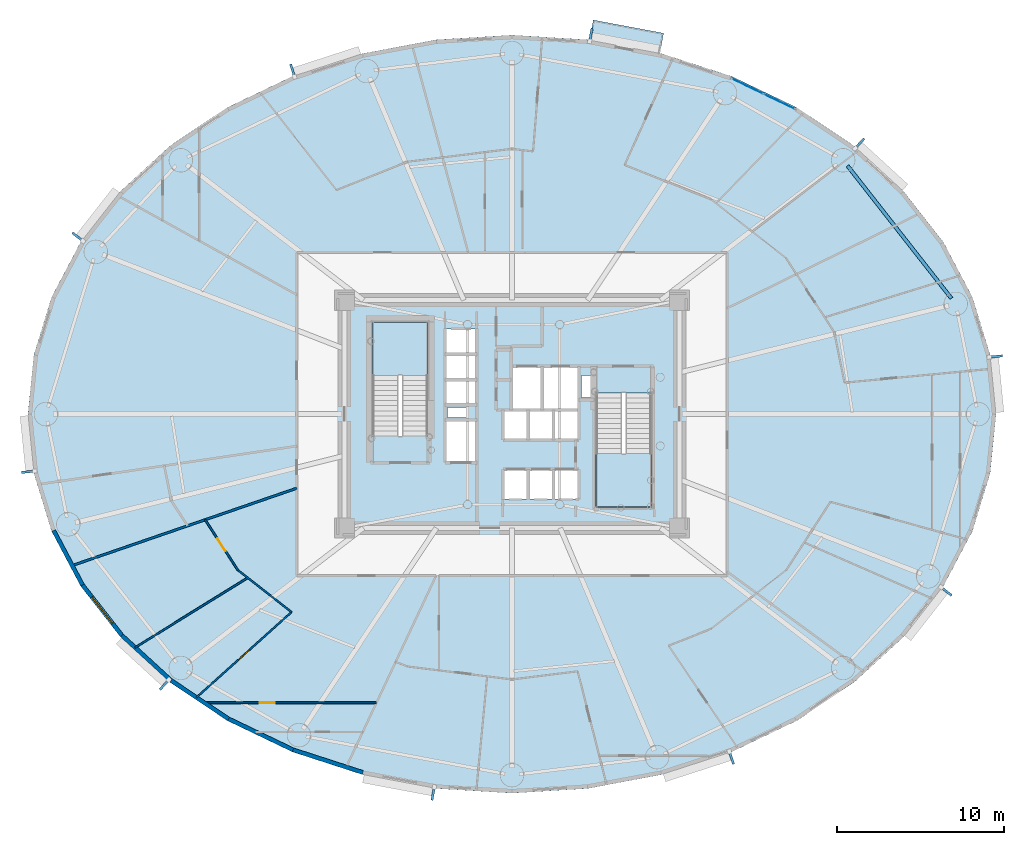
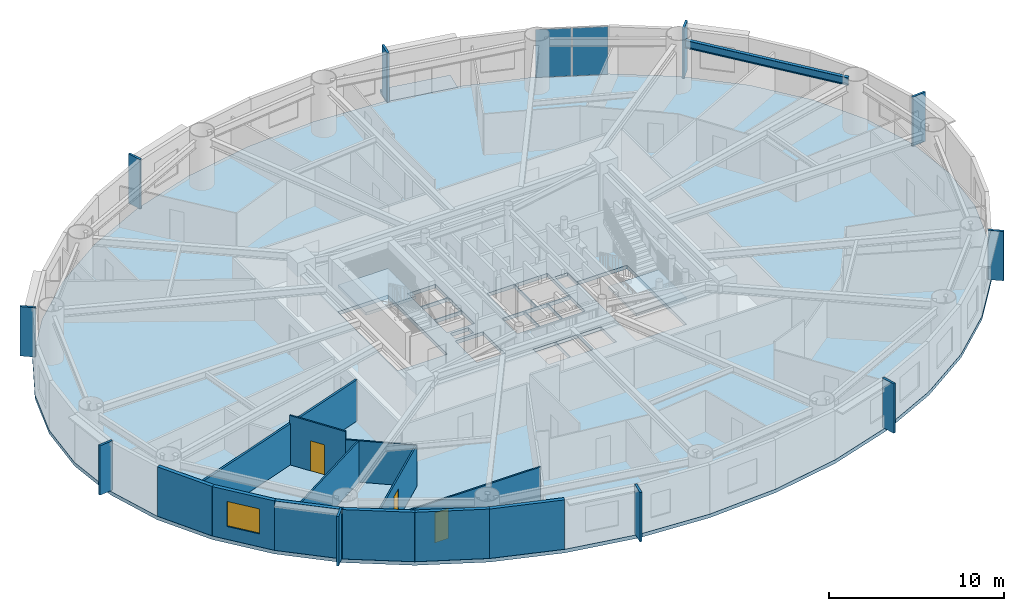
# One storey, part 6 of 17: 12 plates, 12 walls, 4 slabs, 3 doors, 1 beam, 1 window, 4 openings, 3 elements without a shape of their own.
"""IFC4 building model written with IfcOpenShell, lengths in metres."""

from ifc_helpers import new_model, si_unit, direction, frame, frame_2d, origin, origin_2d, place, context, subcontext, project, spatial, polyline, rectangle, i_section, outline, extrude, source, transform, mapped, material, layer, layer_set, material_profile, profile_set, type_object, element, fill, aggregate, save


model = new_model("IFC4")

# Units and contexts
model_context = context("Model", 3, precision=1e-05, world=origin(), true_north=direction((0.0, 1.0)))
body_context = subcontext(model_context, "Body", "Model", "MODEL_VIEW")
ifc_project = project(units=[si_unit("LENGTHUNIT", "METRE"), si_unit("AREAUNIT", "SQUARE_METRE"), si_unit("VOLUMEUNIT", "CUBIC_METRE"), si_unit("PLANEANGLEUNIT", "RADIAN"), si_unit("MASSUNIT", "GRAM", prefix="KILO")], contexts=[model_context])

# Site, building, storey
site_placement = place(None, origin())
site = spatial("IfcSite", under=ifc_project, at=site_placement, CompositionType="ELEMENT")
building_placement = place(site_placement, origin())
building = spatial("IfcBuilding", under=site, at=building_placement, Name="Linh Dai School and Residence Tower", CompositionType="ELEMENT")
storey_placement = place(building_placement, frame((0.0, 0.0, 142.199951171875)))
storey = spatial("IfcBuildingStorey", under=building, at=storey_placement, Name="L34", CompositionType="ELEMENT", Elevation=142.199951171875)

# Beam
ifc_material_1 = material(Name="Structural Steel S355JR", Category="steel")
ifc_material_profile = material_profile(ifc_material_1, i_section(OverallWidth=0.2099609375, OverallDepth=0.550048828125, WebThickness=0.010986328125, FlangeThickness=0.01708984375, FilletRadius=0.02392578125, at=origin_2d()), Name="IPE 550")
ifc_profile_set = profile_set([ifc_material_profile], Name="Structural Steel S355JR")
beam_type = type_object("IfcBeamType", Name="BM-RB55", PredefinedType="BEAM", material=ifc_profile_set)
beam_placement = place(storey_placement, frame((62.233642578125, 33.91162109375, 3.175048828125), z_axis=(-0.616854830973, 0.787076945098, 0.0), x_axis=(-0.787076945098, -0.616854830973, 0.0)))
element("IfcBeam", 1, at=beam_placement, inside=storey, type_object=beam_type, Name="L34 Perimeter Elliptical Ring Beam 02", PredefinedType="BEAM", context=body_context, shape_type="SweptSolid", body=[
    extrude(i_section(OverallWidth=0.2099609375, OverallDepth=0.550048828125, WebThickness=0.010986328125, FlangeThickness=0.01708984375, FilletRadius=0.02392578125, at=origin_2d()), origin(), (0.0, 0.0, 1.0), 10.053955078125),
])

# Slabs
ifc_material_2 = material(Name="Concrete B45 (C35/45)", Category="concrete")
ifc_layer_1 = layer(ifc_material_2, 0.219970703125)
ifc_layer_set_1 = layer_set([ifc_layer_1], Name="Concrete B45 (C35/45)")
slab_type_1 = type_object("IfcSlabType", Name="SLB-BALC-220", PredefinedType="FLOOR", material=ifc_layer_set_1)
slab_1_placement = place(storey_placement, frame((0.0, 0.0, -0.219970703125)))
element("IfcSlab", 2, at=slab_1_placement, inside=storey, type_object=slab_type_1, Name="L34 Sliding Balcony Slab 09", PredefinedType="FLOOR", context=body_context, shape_type="SweptSolid", body=[
    extrude(outline(polyline([(40.612060546875, 49.253173828125), (44.809814453125, 48.4638671875), (45.050048828125, 49.74169921875), (40.852294921875, 50.53076171875), (40.612060546875, 49.253173828125)])), origin(), (0.0, 0.0, 1.0), 0.219970703125),
])
ifc_layer_2 = layer(ifc_material_2, 0.25)
ifc_layer_set_2 = layer_set([ifc_layer_2], Name="Concrete B45 (C35/45)")
slab_type_2 = type_object("IfcSlabType", Name="SLB-FLR250", PredefinedType="FLOOR", material=ifc_layer_set_2)
slab_2_placement = place(storey_placement, frame((0.0, 0.0, -0.25)))
element("IfcSlab", 3, at=slab_2_placement, inside=storey, type_object=slab_type_2, Name="L34 Composite Structural Floor Slab", PredefinedType="FLOOR", context=body_context, shape_type="SweptSolid", body=[
    extrude(outline(polyline([(64.89990234375, 27.0), (64.544189453125, 30.5400390625), (63.485595703125, 33.9931640625), (61.75, 37.27392578125), (59.380615234375, 40.301513671875), (56.435302734375, 43.001708984375), (52.987060546875, 45.30810546875), (49.120361328125, 47.16357421875), (44.9306640625, 48.5224609375), (40.52099609375, 49.351318359375), (36.0, 49.6298828125), (31.47900390625, 49.351318359375), (27.0693359375, 48.5224609375), (22.879638671875, 47.16357421875), (19.012939453125, 45.30810546875), (15.564697265625, 43.001708984375), (12.619384765625, 40.301513671875), (10.25, 37.27392578125), (8.514404296875, 33.9931640625), (7.455810546875, 30.5400390625), (7.10009765625, 27.0), (7.455810546875, 23.4599609375), (8.514404296875, 20.0068359375), (10.25, 16.72607421875), (12.619384765625, 13.698486328125), (15.564697265625, 10.998291015625), (19.012939453125, 8.69189453125), (22.879638671875, 6.83642578125), (27.0693359375, 5.4775390625), (31.47900390625, 4.648681640625), (36.0, 4.3701171875), (40.52099609375, 4.648681640625), (44.9306640625, 5.4775390625), (49.120361328125, 6.83642578125), (52.987060546875, 8.69189453125), (56.435302734375, 10.998291015625), (59.380615234375, 13.698486328125), (61.75, 16.72607421875), (63.485595703125, 20.0068359375), (64.544189453125, 23.4599609375), (64.89990234375, 27.0)]), holes=[polyline([(30.97998046875, 25.699951171875), (30.97998046875, 32.5), (27.679931640625, 32.5), (27.679931640625, 25.699951171875), (30.97998046875, 25.699951171875)]), polyline([(41.02001953125, 28.25), (41.02001953125, 21.449951171875), (44.320068359375, 21.449951171875), (44.320068359375, 28.25), (41.02001953125, 28.25)]), polyline([(35.97998046875, 27.280029296875), (37.77001953125, 27.280029296875), (37.77001953125, 29.820068359375), (35.97998046875, 29.820068359375), (35.97998046875, 27.280029296875)]), polyline([(32.030029296875, 24.1298828125), (33.8701171875, 24.1298828125), (33.8701171875, 26.6201171875), (32.030029296875, 26.6201171875), (32.030029296875, 24.1298828125)]), polyline([(37.830078125, 27.280029296875), (39.969970703125, 27.280029296875), (39.969970703125, 29.820068359375), (37.830078125, 29.820068359375), (37.830078125, 27.280029296875)]), polyline([(35.47998046875, 21.929931640625), (36.929931640625, 21.929931640625), (36.929931640625, 23.669921875), (35.47998046875, 23.669921875), (35.47998046875, 21.929931640625)]), polyline([(36.989990234375, 21.929931640625), (38.449951171875, 21.929931640625), (38.449951171875, 23.669921875), (36.989990234375, 23.669921875), (36.989990234375, 21.929931640625)]), polyline([(38.510009765625, 21.929931640625), (39.969970703125, 21.929931640625), (39.969970703125, 23.669921875), (38.510009765625, 23.669921875), (38.510009765625, 21.929931640625)]), polyline([(32.030029296875, 27.580078125), (33.8701171875, 27.580078125), (33.8701171875, 29.030029296875), (32.030029296875, 29.030029296875), (32.030029296875, 27.580078125)]), polyline([(32.030029296875, 29.090087890625), (33.8701171875, 29.090087890625), (33.8701171875, 30.550048828125), (32.030029296875, 30.550048828125), (32.030029296875, 29.090087890625)]), polyline([(32.030029296875, 30.610107421875), (33.8701171875, 30.610107421875), (33.8701171875, 32.070068359375), (32.030029296875, 32.070068359375), (32.030029296875, 30.610107421875)]), polyline([(35.47998046875, 25.47998046875), (36.929931640625, 25.47998046875), (36.929931640625, 27.219970703125), (35.47998046875, 27.219970703125), (35.47998046875, 25.47998046875)]), polyline([(36.989990234375, 25.47998046875), (38.449951171875, 25.47998046875), (38.449951171875, 27.219970703125), (36.989990234375, 27.219970703125), (36.989990234375, 25.47998046875)]), polyline([(38.510009765625, 25.47998046875), (39.969970703125, 25.47998046875), (39.969970703125, 27.219970703125), (38.510009765625, 27.219970703125), (38.510009765625, 25.47998046875)]), polyline([(40.14990234375, 28.0), (40.14990234375, 29.300048828125), (41.0, 29.300048828125), (41.0, 28.280029296875), (40.989990234375, 28.280029296875), (40.989990234375, 28.0), (40.14990234375, 28.0)]), polyline([(32.14990234375, 26.800048828125), (33.35009765625, 26.800048828125), (33.35009765625, 27.39990234375), (32.14990234375, 27.39990234375), (32.14990234375, 26.800048828125)])]), origin(), (0.0, 0.0, 1.0), 0.25),
])

# Stair, slab
stair_type = type_object("IfcStairType", Name="ST-DOG-1550-R1442", PredefinedType="HALF_TURN_STAIR", material=ifc_material_2)
stair_1_placement = place(storey_placement, origin())
stair_1 = element("IfcStair", 4, at=stair_1_placement, inside=storey, type_object=stair_type, Name="L34 Core Smokeproof Exit Stair ST1", PredefinedType="HALF_TURN_STAIR")
ifc_layer_3 = layer(ifc_material_2, 0.199951171875)
ifc_layer_set_3 = layer_set([ifc_layer_3], Name="Concrete B45 (C35/45)")
slab_type_3 = type_object("IfcSlabType", Name="SLB-ST-LANDING-200", PredefinedType="LANDING", material=ifc_layer_set_3)
slab_3_placement = place(storey_placement, frame((0.0, 0.0, 1.675048828125)))
slab_3 = element("IfcSlab", 5, at=slab_3_placement, type_object=slab_type_3, Name="ST1 landing 1", PredefinedType="LANDING", context=body_context, shape_type="SweptSolid", body=[
    extrude(outline(polyline([(30.97998046875, 29.300048828125), (30.97998046875, 32.5), (27.679931640625, 32.5), (27.679931640625, 29.300048828125), (30.97998046875, 29.300048828125)])), origin(), (0.0, 0.0, 1.0), 0.199951171875),
])
aggregate(stair_1, [slab_3])

stair_2_placement = place(storey_placement, origin())
stair_2 = element("IfcStair", 6, at=stair_2_placement, inside=storey, type_object=stair_type, Name="L34 Core Smokeproof Exit Stair ST2", PredefinedType="HALF_TURN_STAIR")
slab_4_placement = place(storey_placement, frame((0.0, 0.0, 1.675048828125)))
slab_4 = element("IfcSlab", 7, at=slab_4_placement, type_object=slab_type_3, Name="ST2 landing 1", PredefinedType="LANDING", context=body_context, shape_type="SweptSolid", body=[
    extrude(outline(polyline([(41.02001953125, 24.64990234375), (41.02001953125, 21.449951171875), (44.320068359375, 21.449951171875), (44.320068359375, 24.64990234375), (41.02001953125, 24.64990234375)])), origin(), (0.0, 0.0, 1.0), 0.199951171875),
])
aggregate(stair_2, [slab_4])

# Plates
ifc_material_3 = material(Name="Precast Concrete B45 (C35/45)", Category="concrete")
ifc_layer_4 = layer(ifc_material_3, 0.139892578125)
ifc_layer_set_4 = layer_set([ifc_layer_4], Name="Precast Concrete B45 (C35/45)")
plate_type_1 = type_object("IfcPlateType", Name="FIN-TC-900x140", PredefinedType="USERDEFINED", material=ifc_layer_set_4)
shared_shape_1 = source(origin(), body_context, "Body", "SweptSolid", [
    extrude(rectangle(XDim=0.89990234375, YDim=0.139892578125, at=origin_2d()), origin(), (0.0, 0.0, 1.0), 3.449951171875),
])
for number, where, z_axis, x_axis, name in (
    (8, (64.841552734375, 30.43701171875, 0.0), (0.0, 0.0, 1.0), (0.994986703684, 0.100007297192, 0.0), "L34 Precast Terracotta Radial Fin 01"),
    (9, (56.723876953125, 43.12451171875, 0.0), (0.0, 0.0, 1.0), (0.675783395482, 0.737100266172, 0.0), "L34 Precast Terracotta Radial Fin 05"),
    (10, (40.69921875, 49.608154296875, 0.0), (0.0, 0.0, 1.0), (0.18475466193, 0.982784673718, 0.0), "L34 Precast Terracotta Radial Fin 09"),
    (11, (22.91357421875, 47.474365234375, 0.0), (0.0, 0.0, 1.0), (-0.308522363457, 0.951217089442, 0.0), "L34 Precast Terracotta Radial Fin 13"),
    (12, (10.105712890625, 37.552734375, 0.0), (0.0, 0.0, 1.0), (-0.787507539838, 0.616305017583, 0.0), "L34 Precast Terracotta Radial Fin 17"),
    (13, (7.158447265625, 23.56298828125, 0.0), (0.0, 0.0, 1.0), (-0.994986703684, -0.100007297192, 0.0), "L34 Precast Terracotta Radial Fin 21"),
    (14, (15.276123046875, 10.87548828125, 0.0), (0.0, 0.0, 1.0), (-0.675783395482, -0.737100266172, 0.0), "L34 Precast Terracotta Radial Fin 25"),
    (15, (31.30078125, 4.391845703125, 0.0), (0.0, 0.0, 1.0), (-0.18475466193, -0.982784673718, 0.0), "L34 Precast Terracotta Radial Fin 29"),
    (16, (49.08642578125, 6.525634765625, 0.0), (0.0, 0.0, 1.0), (0.308522363457, -0.951217089442, 0.0), "L34 Precast Terracotta Radial Fin 33"),
    (17, (61.894287109375, 16.447265625, 0.0), (0.0, 0.0, 1.0), (0.787507539838, -0.616305017583, 0.0), "L34 Precast Terracotta Radial Fin 37"),
):
    element("IfcPlate", number, at=place(storey_placement, frame(where, z_axis=z_axis, x_axis=x_axis)), inside=storey, type_object=plate_type_1, Name=name, ObjectType="RADIAL FIN", PredefinedType="USERDEFINED", context=body_context, shape_type="MappedRepresentation", body=[
        mapped(shared_shape_1, transform((0.0, 0.0, 0.0), x_axis=(1.0, 0.0, 0.0), y_axis=(0.0, 1.0, 0.0), z_axis=(0.0, 0.0, 1.0), scale=1.0)),
    ])

# Curtain wall, plates
ifc_material_4 = material(Name="Aluminium Anodised Curtain Wall", Category="aluminium")
ifc_layer_5 = layer(ifc_material_4, 0.14990234375)
ifc_layer_set_5 = layer_set([ifc_layer_5], Name="Aluminium Anodised Curtain Wall")
curtain_wall_type = type_object("IfcCurtainWallType", Name="CW-SYS-4", PredefinedType="USERDEFINED", material=ifc_layer_set_5)
curtain_wall_placement = place(storey_placement, origin())
curtain_wall = element("IfcCurtainWall", 18, at=curtain_wall_placement, inside=storey, type_object=curtain_wall_type, Name="L34 CW4 Curtain Wall 07", ObjectType="RIBBON CURTAIN WALL", PredefinedType="USERDEFINED")
ifc_material_5 = material(Name="Double Low-E Insulated Glazing", Category="glass")
ifc_layer_6 = layer(ifc_material_5, 0.02587890625)
ifc_layer_set_6 = layer_set([ifc_layer_6], Name="Double Low-E Insulated Glazing")
plate_type_2 = type_object("IfcPlateType", Name="CW-SYS-4-PAN", PredefinedType="CURTAIN_PANEL", material=ifc_layer_set_6)
shared_shape_2 = source(origin(), body_context, "Body", "SweptSolid", [
    extrude(rectangle(XDim=2.057861328125, YDim=0.02587890625, at=origin_2d()), origin(), (0.0, 0.0, 1.0), 3.345947265625),
])
plate_1_placement = place(storey_placement, frame((50.048583984375, 46.579833984375, 0.05224609375), z_axis=(0.0, 0.0, 1.0), x_axis=(0.901577518371, -0.432617589064, 0.0)))
plate_1 = element("IfcPlate", 19, at=plate_1_placement, type_object=plate_type_2, Name="CW4 panel 1.1", PredefinedType="CURTAIN_PANEL", context=body_context, shape_type="MappedRepresentation", body=[
    mapped(shared_shape_2, transform((0.0, 0.0, 0.0), x_axis=(1.0, 0.0, 0.0), y_axis=(0.0, 1.0, 0.0), z_axis=(0.0, 0.0, 1.0), scale=1.0)),
])
plate_2_placement = place(storey_placement, frame((51.95068359375, 45.6669921875, 0.05224609375), z_axis=(0.0, 0.0, 1.0), x_axis=(0.901577518371, -0.432617589064, 0.0)))
plate_2 = element("IfcPlate", 20, at=plate_2_placement, type_object=plate_type_2, Name="CW4 panel 2.1", PredefinedType="CURTAIN_PANEL", context=body_context, shape_type="MappedRepresentation", body=[
    mapped(shared_shape_2, transform((0.0, 0.0, 0.0), x_axis=(1.0, 0.0, 0.0), y_axis=(0.0, 1.0, 0.0), z_axis=(0.0, 0.0, 1.0), scale=1.0)),
])
aggregate(curtain_wall, [plate_1, plate_2])

# Wall
ifc_layer_7 = layer(ifc_material_3, 0.239990234375)
ifc_layer_set_7 = layer_set([ifc_layer_7], Name="Precast Concrete B45 (C35/45)")
wall_type_1 = type_object("IfcWallType", Name="EW-TC-240", PredefinedType="SOLIDWALL", material=ifc_layer_set_7)
wall_1_placement = place(storey_placement, frame((10.354736328125, 16.79443359375, 0.0), z_axis=(0.0, 0.0, 1.0), x_axis=(-0.467614004126, 0.883932770716, 0.0)))
element("IfcWall", 21, at=wall_1_placement, inside=storey, type_object=wall_type_1, Name="L34 Terracotta Exterior Wall 23", PredefinedType="SOLIDWALL", context=body_context, shape_type="SweptSolid", body=[
    extrude(rectangle(XDim=3.688720703125, YDim=0.239990234375, at=frame_2d((1.84423828125, 0.0))), origin(), (0.0, 0.0, 1.0), 3.449951171875),
])

# Wall, opening, window
wall_2_placement = place(storey_placement, frame((12.7109375, 13.783447265625, 0.0), z_axis=(0.0, 0.0, 1.0), x_axis=(-0.616272103517, 0.787533297345, 0.0)))
wall_2 = element("IfcWall", 22, at=wall_2_placement, inside=storey, type_object=wall_type_1, Name="L34 Terracotta Exterior Wall 24", PredefinedType="SOLIDWALL", context=body_context, shape_type="SweptSolid", body=[
    extrude(rectangle(XDim=3.8232421875, YDim=0.239990234375, at=frame_2d((1.91162109375, 0.0))), origin(), (0.0, 0.0, 1.0), 3.449951171875),
])
opening_1_placement = place(wall_2_placement, frame((0.91162109375, 0.0, 0.89990234375)))
opening_1 = element("IfcOpeningElement", 23, at=opening_1_placement, cuts=wall_2, Name="Opening W1", PredefinedType="OPENING", context=body_context, shape_type="SweptSolid", body=[
    extrude(rectangle(XDim=2.0, YDim=1.75, at=origin_2d()), frame((1.0, 0.1298828125, 0.875), z_axis=(0.0, -1.0, 0.0), x_axis=(1.0, 0.0, 0.0)), (0.0, 0.0, 1.0), 0.260009765625),
])
window_type = type_object("IfcWindowType", Name="WN-RES-2000x1750", PartitioningType="DOUBLE_PANEL_VERTICAL", PredefinedType="WINDOW", material=ifc_material_5)
shared_shape_3 = source(origin(), body_context, "Body", "SweptSolid", [
    extrude(rectangle(XDim=2.0, YDim=1.75, at=origin_2d()), frame((1.0, 0.030029296875, 0.875), z_axis=(0.0, -1.0, 0.0), x_axis=(1.0, 0.0, 0.0)), (0.0, 0.0, 1.0), 0.06005859375),
])
window_placement = place(opening_1_placement, origin())
window = element("IfcWindow", 24, at=window_placement, inside=storey, type_object=window_type, Name="L34 Exterior Window 24.1", OverallHeight=1.75, OverallWidth=2.0, PartitioningType="DOUBLE_PANEL_VERTICAL", PredefinedType="WINDOW", context=body_context, shape_type="MappedRepresentation", body=[
    mapped(shared_shape_3, transform((0.0, 0.0, 0.0), x_axis=(1.0, 0.0, 0.0), y_axis=(0.0, 1.0, 0.0), z_axis=(0.0, 0.0, 1.0), scale=1.0)),
])
fill(opening_1, window)

# Walls
wall_3_placement = place(storey_placement, frame((15.6416015625, 11.0966796875, 0.0), z_axis=(0.0, 0.0, 1.0), x_axis=(-0.737113356241, 0.675769117414, 0.0)))
element("IfcWall", 25, at=wall_3_placement, inside=storey, type_object=wall_type_1, Name="L34 Terracotta Exterior Wall 25", PredefinedType="SOLIDWALL", context=body_context, shape_type="SweptSolid", body=[
    extrude(rectangle(XDim=3.975830078125, YDim=0.239990234375, at=frame_2d((1.98779296875, 0.0))), origin(), (0.0, 0.0, 1.0), 3.449951171875),
])
wall_4_placement = place(storey_placement, frame((19.07470703125, 8.800537109375, 0.0), z_axis=(0.0, 0.0, 1.0), x_axis=(-0.831221811447, 0.555940914284, 0.0)))
element("IfcWall", 26, at=wall_4_placement, inside=storey, type_object=wall_type_1, Name="L34 Terracotta Exterior Wall 26", PredefinedType="SOLIDWALL", context=body_context, shape_type="SweptSolid", body=[
    extrude(rectangle(XDim=4.130126953125, YDim=0.239990234375, at=frame_2d((2.06494140625, 0.0))), origin(), (0.0, 0.0, 1.0), 3.449951171875),
])
wall_5_placement = place(storey_placement, frame((22.926025390625, 6.95263671875, 0.0), z_axis=(0.0, 0.0, 1.0), x_axis=(-0.901589935876, 0.432591709962, 0.0)))
element("IfcWall", 27, at=wall_5_placement, inside=storey, type_object=wall_type_1, Name="L34 Terracotta Exterior Wall 27", PredefinedType="SOLIDWALL", context=body_context, shape_type="SweptSolid", body=[
    extrude(rectangle(XDim=4.271728515625, YDim=0.239990234375, at=frame_2d((2.1357421875, 0.0))), origin(), (0.0, 0.0, 1.0), 3.449951171875),
])
wall_6_placement = place(storey_placement, frame((27.100341796875, 5.5986328125, 0.0), z_axis=(0.0, 0.0, 1.0), x_axis=(-0.951211346073, 0.308540070495, 0.0)))
element("IfcWall", 28, at=wall_6_placement, inside=storey, type_object=wall_type_1, Name="L34 Terracotta Exterior Wall 28", PredefinedType="SOLIDWALL", context=body_context, shape_type="SweptSolid", body=[
    extrude(rectangle(XDim=4.388427734375, YDim=0.239990234375, at=frame_2d((2.1943359375, 0.0))), origin(), (0.0, 0.0, 1.0), 3.449951171875),
])
ifc_material_6 = material(Name="Autoclaved Aerated Concrete Blockwork", Category="masonry")
ifc_layer_8 = layer(ifc_material_6, 0.135009765625)
ifc_layer_set_8 = layer_set([ifc_layer_8], Name="Autoclaved Aerated Concrete Blockwork")
wall_type_2 = type_object("IfcWallType", Name="IW-CORR-135-EI90", PredefinedType="PARTITIONING", material=ifc_layer_set_8)
wall_7_placement = place(storey_placement, frame((9.734619140625, 17.9560546875, 0.0), z_axis=(0.0, 0.0, 1.0), x_axis=(0.945515704768, 0.325576491836, 0.0)))
element("IfcWall", 29, at=wall_7_placement, inside=storey, type_object=wall_type_2, Name="L34 Interior Partition Wall 002", PredefinedType="PARTITIONING", context=body_context, shape_type="SweptSolid", body=[
    extrude(rectangle(XDim=14.188232421875, YDim=0.135009765625, at=frame_2d((7.09423828125, 0.0))), origin(), (0.0, 0.0, 1.0), 2.885009765625),
])
ifc_material_7 = material(Name="Gypsum Plasterboard Acoustic Stud Partition", Category="masonry")
ifc_layer_9 = layer(ifc_material_7, 0.10009765625)
ifc_layer_set_9 = layer_set([ifc_layer_9], Name="Gypsum Plasterboard Acoustic Stud Partition")
wall_type_3 = type_object("IfcWallType", Name="IW-UNIT-100", PredefinedType="PARTITIONING", material=ifc_layer_set_9)
wall_8_placement = place(storey_placement, frame((13.493896484375, 13.058837890625, 0.0), z_axis=(0.0, 0.0, 1.0), x_axis=(0.850110644983, 0.526604112486, 0.0)))
element("IfcWall", 30, at=wall_8_placement, inside=storey, type_object=wall_type_3, Name="L34 Interior Partition Wall 004", PredefinedType="PARTITIONING", context=body_context, shape_type="SweptSolid", body=[
    extrude(rectangle(XDim=7.915771484375, YDim=0.10009765625, at=frame_2d((3.9580078125, 0.0))), origin(), (0.0, 0.0, 1.0), 2.885009765625),
])

# Wall, opening, door
wall_9_placement = place(storey_placement, frame((17.1552734375, 10.078369140625, 0.0), z_axis=(0.0, 0.0, 1.0), x_axis=(0.744051955022, 0.668121761528, 0.0)))
wall_9 = element("IfcWall", 31, at=wall_9_placement, inside=storey, type_object=wall_type_3, Name="L34 Interior Partition Wall 008", PredefinedType="PARTITIONING", context=body_context, shape_type="SweptSolid", body=[
    extrude(rectangle(XDim=7.636474609375, YDim=0.10009765625, at=frame_2d((3.818359375, 0.0))), origin(), (0.0, 0.0, 1.0), 2.885009765625),
])
opening_2_placement = place(wall_9_placement, frame((3.3681640625, 0.0, 0.0)))
opening_2 = element("IfcOpeningElement", 32, at=opening_2_placement, cuts=wall_9, Name="Opening D05", PredefinedType="OPENING", context=body_context, shape_type="SweptSolid", body=[
    extrude(rectangle(XDim=0.89990234375, YDim=2.10009765625, at=origin_2d()), frame((0.449951171875, 0.06005859375, 1.050048828125), z_axis=(0.0, -1.0, 0.0), x_axis=(1.0, 0.0, 0.0)), (0.0, 0.0, 1.0), 0.1201171875),
])
ifc_material_8 = material(Name="Engineered Timber Internal Door", Category="wood")
door_type = type_object("IfcDoorType", Name="DR-INT-900x2100", OperationType="NOTDEFINED", PredefinedType="DOOR", material=ifc_material_8)
shared_shape_4 = source(origin(), body_context, "Body", "SweptSolid", [
    extrude(rectangle(XDim=0.89990234375, YDim=2.10009765625, at=origin_2d()), frame((0.449951171875, 0.02490234375, 1.050048828125), z_axis=(0.0, -1.0, 0.0), x_axis=(1.0, 0.0, 0.0)), (0.0, 0.0, 1.0), 0.050048828125),
])
door_1_placement = place(opening_2_placement, origin())
door_1 = element("IfcDoor", 33, at=door_1_placement, inside=storey, type_object=door_type, Name="L34 Apartment U3401 Study Door", OperationType="SINGLE_SWING_LEFT", OverallHeight=2.10009765625, OverallWidth=0.89990234375, PredefinedType="DOOR", context=body_context, shape_type="MappedRepresentation", body=[
    mapped(shared_shape_4, transform((0.0, 0.0, 0.0), x_axis=(1.0, 0.0, 0.0), y_axis=(0.0, 1.0, 0.0), z_axis=(0.0, 0.0, 1.0), scale=1.0)),
])
fill(opening_2, door_1)

wall_10_placement = place(storey_placement, frame((17.619873046875, 9.767578125, 0.0), z_axis=(0.0, 0.0, 1.0), x_axis=(1.0, 0.0, 0.0)))
wall_10 = element("IfcWall", 34, at=wall_10_placement, inside=storey, type_object=wall_type_3, Name="L34 Interior Partition Wall 010", PredefinedType="PARTITIONING", context=body_context, shape_type="SweptSolid", body=[
    extrude(rectangle(XDim=10.28759765625, YDim=0.10009765625, at=frame_2d((5.143798828125, 0.0))), origin(), (0.0, 0.0, 1.0), 2.885009765625),
])
opening_3_placement = place(wall_10_placement, frame((3.321533203125, 0.0, 0.0)))
opening_3 = element("IfcOpeningElement", 35, at=opening_3_placement, cuts=wall_10, Name="Opening D05", PredefinedType="OPENING", context=body_context, shape_type="SweptSolid", body=[
    extrude(rectangle(XDim=0.89990234375, YDim=2.10009765625, at=origin_2d()), frame((0.449951171875, 0.06005859375, 1.050048828125), z_axis=(0.0, -1.0, 0.0), x_axis=(1.0, 0.0, 0.0)), (0.0, 0.0, 1.0), 0.1201171875),
])
door_2_placement = place(opening_3_placement, origin())
door_2 = element("IfcDoor", 36, at=door_2_placement, inside=storey, type_object=door_type, Name="L34 Apartment U3401 Kitchen Door", OperationType="SINGLE_SWING_RIGHT", OverallHeight=2.10009765625, OverallWidth=0.89990234375, PredefinedType="DOOR", context=body_context, shape_type="MappedRepresentation", body=[
    mapped(shared_shape_4, transform((0.0, 0.0, 0.0), x_axis=(1.0, 0.0, 0.0), y_axis=(0.0, 1.0, 0.0), z_axis=(0.0, 0.0, 1.0), scale=1.0)),
])
fill(opening_3, door_2)

wall_11_placement = place(storey_placement, frame((17.6796875, 20.69189453125, 0.0), z_axis=(0.0, 0.0, 1.0), x_axis=(0.545371539428, -0.838194418964, 0.0)))
wall_11 = element("IfcWall", 37, at=wall_11_placement, inside=storey, type_object=wall_type_3, Name="L34 Interior Partition Wall 011", PredefinedType="PARTITIONING", context=body_context, shape_type="SweptSolid", body=[
    extrude(rectangle(XDim=3.58251953125, YDim=0.10009765625, at=frame_2d((1.791259765625, 0.0))), origin(), (0.0, 0.0, 1.0), 3.449951171875),
])
opening_4_placement = place(wall_11_placement, frame((1.34130859375, 0.0, 0.0)))
opening_4 = element("IfcOpeningElement", 38, at=opening_4_placement, cuts=wall_11, Name="Opening D05", PredefinedType="OPENING", context=body_context, shape_type="SweptSolid", body=[
    extrude(rectangle(XDim=0.89990234375, YDim=2.10009765625, at=origin_2d()), frame((0.449951171875, 0.06005859375, 1.050048828125), z_axis=(0.0, -1.0, 0.0), x_axis=(1.0, 0.0, 0.0)), (0.0, 0.0, 1.0), 0.1201171875),
])
door_3_placement = place(opening_4_placement, origin())
door_3 = element("IfcDoor", 39, at=door_3_placement, inside=storey, type_object=door_type, Name="L34 Apartment U3401 Principal Bedroom 1 Door", OperationType="SINGLE_SWING_RIGHT", OverallHeight=2.10009765625, OverallWidth=0.89990234375, PredefinedType="DOOR", context=body_context, shape_type="MappedRepresentation", body=[
    mapped(shared_shape_4, transform((0.0, 0.0, 0.0), x_axis=(1.0, 0.0, 0.0), y_axis=(0.0, 1.0, 0.0), z_axis=(0.0, 0.0, 1.0), scale=1.0)),
])
fill(opening_4, door_3)

# Wall
wall_12_placement = place(storey_placement, frame((19.633544921875, 17.68896484375, 0.0), z_axis=(0.0, 0.0, 1.0), x_axis=(0.787341639438, -0.616516944461, 0.0)))
element("IfcWall", 40, at=wall_12_placement, inside=storey, type_object=wall_type_3, Name="L34 Interior Partition Wall 012", PredefinedType="PARTITIONING", context=body_context, shape_type="SweptSolid", body=[
    extrude(rectangle(XDim=4.06884765625, YDim=0.10009765625, at=frame_2d((2.034423828125, 0.0))), origin(), (0.0, 0.0, 1.0), 2.885009765625),
])

save(model, "model.ifc")
